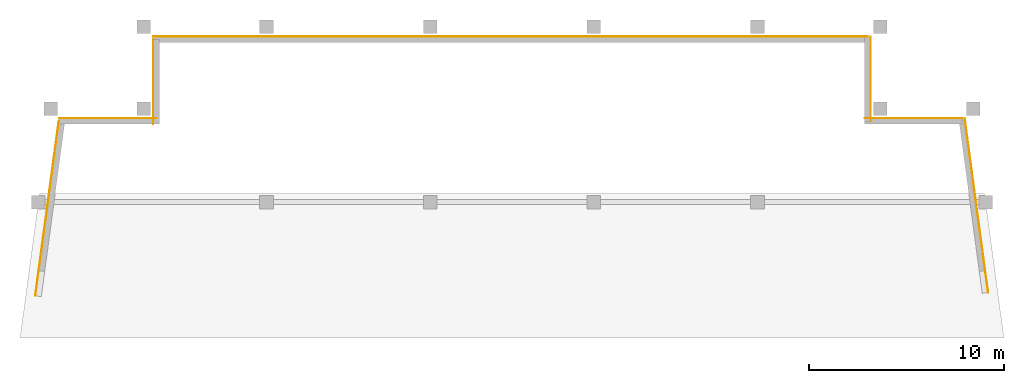
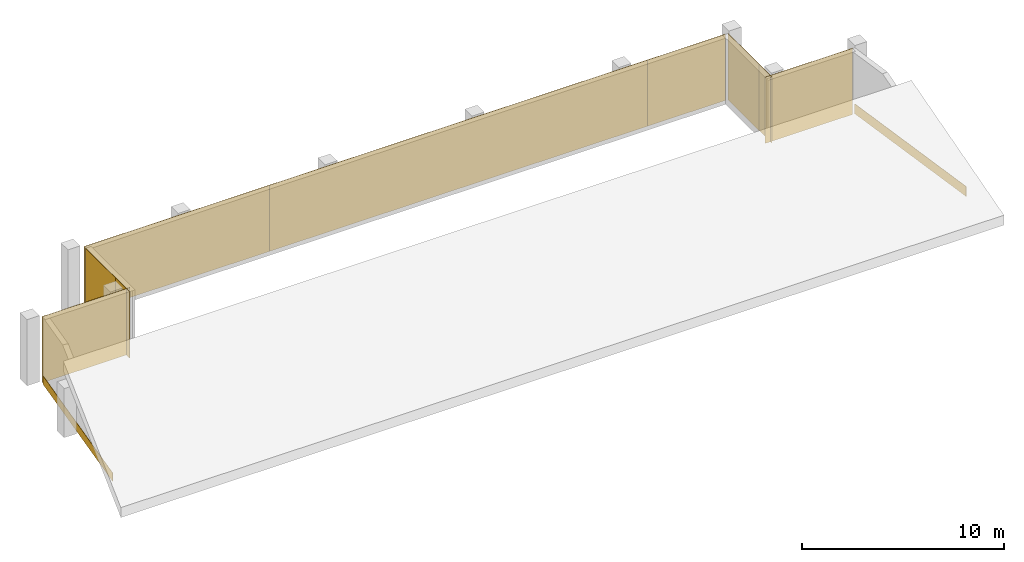
# One storey, part 2 of 2: 11 coverings.
"""IFC4 building model written with IfcOpenShell, lengths in metres."""

from ifc_helpers import new_model, si_unit, direction, frame, origin, origin_2d, place, context, subcontext, project, spatial, rectangle, extrude, material, layer, layer_set, type_object, element, save


model = new_model("IFC4")

# Units and contexts
model_context = context("Model", 3, precision=1e-05, world=origin(), true_north=direction((0.0, 1.0)))
body_context = subcontext(model_context, "Body", "Model", "MODEL_VIEW")
ifc_project = project(units=[si_unit("LENGTHUNIT", "METRE"), si_unit("AREAUNIT", "SQUARE_METRE"), si_unit("VOLUMEUNIT", "CUBIC_METRE"), si_unit("PLANEANGLEUNIT", "RADIAN"), si_unit("MASSUNIT", "GRAM", prefix="KILO")], contexts=[model_context])

# Site, building, storey
site_placement = place(None, origin())
site = spatial("IfcSite", under=ifc_project, at=site_placement, CompositionType="ELEMENT")
building_placement = place(site_placement, origin())
building = spatial("IfcBuilding", under=site, at=building_placement, Name="Candeia Pilgrim Tower and Theatre", CompositionType="ELEMENT")
storey_placement = place(building_placement, frame((0.0, 0.0, 328.39990234375)))
storey = spatial("IfcBuildingStorey", under=building, at=storey_placement, Name="L79", CompositionType="ELEMENT", Elevation=328.39990234375)

# Coverings
ifc_material_1 = material(Name="Glazed ceramic tile bottle green")
ifc_layer_1 = layer(ifc_material_1, 0.02001953125)
ifc_layer_set_1 = layer_set([ifc_layer_1], Name="Glazed ceramic tile bottle green")
covering_type_1 = type_object("IfcCoveringType", Name="Glazed ceramic tile bottle green", PredefinedType="CLADDING", material=ifc_layer_set_1)
covering_1_placement = place(storey_placement, frame((133.99853515625, 140.110107421875, 0.0), z_axis=(0.0, 0.0, 1.0), x_axis=(-1.0, 0.0, 0.0)))
element("IfcCovering", 1, at=covering_1_placement, inside=storey, type_object=covering_type_1, Name="Tile cladding bottle green L79", PredefinedType="CLADDING", context=body_context, shape_type="SweptSolid", body=[
    extrude(rectangle(XDim=4.9970703125, YDim=0.02001953125, at=origin_2d()), origin(), (0.0, 0.0, 1.0), 4.0),
])
covering_2_placement = place(storey_placement, frame((131.81005859375, 142.75, 0.0), z_axis=(0.0, 0.0, 1.0), x_axis=(0.0, 1.0, 0.0)))
element("IfcCovering", 2, at=covering_2_placement, inside=storey, type_object=covering_type_1, Name="Tile cladding bottle green L79", PredefinedType="CLADDING", context=body_context, shape_type="SweptSolid", body=[
    extrude(rectangle(XDim=3.10009765625, YDim=0.02001953125, at=origin_2d()), origin(), (0.0, 0.0, 1.0), 4.0),
])
covering_3_placement = place(storey_placement, frame((129.425048828125, 144.31005859375, 0.0), z_axis=(0.0, 0.0, 1.0), x_axis=(-1.0, 0.0, 0.0)))
element("IfcCovering", 3, at=covering_3_placement, inside=storey, type_object=covering_type_1, Name="Tile cladding bottle green L79", PredefinedType="CLADDING", context=body_context, shape_type="SweptSolid", body=[
    extrude(rectangle(XDim=4.449951171875, YDim=0.02001953125, at=origin_2d()), origin(), (0.0, 0.0, 1.0), 4.0),
])
covering_4_placement = place(storey_placement, frame((100.300048828125, 144.31005859375, 0.0), z_axis=(0.0, 0.0, 1.0), x_axis=(-1.0, 0.0, 0.0)))
element("IfcCovering", 4, at=covering_4_placement, inside=storey, type_object=covering_type_1, Name="Tile cladding bottle green L79", PredefinedType="CLADDING", context=body_context, shape_type="SweptSolid", body=[
    extrude(rectangle(XDim=10.60009765625, YDim=0.02001953125, at=origin_2d()), origin(), (0.0, 0.0, 1.0), 4.0),
])
covering_5_placement = place(storey_placement, frame((94.989990234375, 142.675048828125, 0.0), z_axis=(0.0, 0.0, 1.0), x_axis=(0.0, -1.0, 0.0)))
element("IfcCovering", 5, at=covering_5_placement, inside=storey, type_object=covering_type_1, Name="Tile cladding bottle green L79", PredefinedType="CLADDING", context=body_context, shape_type="SweptSolid", body=[
    extrude(rectangle(XDim=2.949951171875, YDim=0.02001953125, at=origin_2d()), origin(), (0.0, 0.0, 1.0), 4.0),
])
covering_6_placement = place(storey_placement, frame((92.660888671875, 140.110107421875, 0.0), z_axis=(0.0, 0.0, 1.0), x_axis=(-1.0, 0.0, 0.0)))
element("IfcCovering", 6, at=covering_6_placement, inside=storey, type_object=covering_type_1, Name="Tile cladding bottle green L79", PredefinedType="CLADDING", context=body_context, shape_type="SweptSolid", body=[
    extrude(rectangle(XDim=4.978271484375, YDim=0.02001953125, at=origin_2d()), origin(), (0.0, 0.0, 1.0), 4.0),
])
ifc_material_2 = material(Name="Glazed ceramic tile rust")
ifc_layer_2 = layer(ifc_material_2, 0.02001953125)
ifc_layer_set_2 = layer_set([ifc_layer_2], Name="Glazed ceramic tile rust")
covering_type_2 = type_object("IfcCoveringType", Name="Glazed ceramic tile rust", PredefinedType="CLADDING", material=ifc_layer_set_2)
covering_7_placement = place(storey_placement, frame((89.540283203125, 135.48291015625, 0.0), z_axis=(0.0, 0.0, 1.0), x_axis=(-0.133412012145, -0.991060661622, 0.0)))
element("IfcCovering", 7, at=covering_7_placement, inside=storey, type_object=covering_type_2, Name="Tile cladding rust L79", PredefinedType="CLADDING", context=body_context, shape_type="SweptSolid", body=[
    extrude(rectangle(XDim=9.05810546875, YDim=0.02001953125, at=origin_2d()), origin(), (0.0, 0.0, 1.0), 0.50830078125),
])
covering_8_placement = place(storey_placement, frame((137.23974609375, 135.6328125, 0.0), z_axis=(0.0, 0.0, 1.0), x_axis=(-0.133412012145, 0.991060661622, 0.0)))
element("IfcCovering", 8, at=covering_8_placement, inside=storey, type_object=covering_type_2, Name="Tile cladding rust L79", PredefinedType="CLADDING", context=body_context, shape_type="SweptSolid", body=[
    extrude(rectangle(XDim=9.017578125, YDim=0.02001953125, at=origin_2d()), origin(), (0.0, 0.0, 1.0), 0.599853515625),
])
covering_9_placement = place(storey_placement, frame((131.81005859375, 140.574951171875, 0.0), z_axis=(0.0, 0.0, 1.0), x_axis=(0.0, 1.0, 0.0)))
element("IfcCovering", 9, at=covering_9_placement, inside=storey, type_object=covering_type_2, Name="Tile cladding rust L79", PredefinedType="CLADDING", context=body_context, shape_type="SweptSolid", body=[
    extrude(rectangle(XDim=1.25, YDim=0.02001953125, at=origin_2d()), origin(), (0.0, 0.0, 1.0), 4.0),
])
covering_10_placement = place(storey_placement, frame((116.39990234375, 144.31005859375, 0.0), z_axis=(0.0, 0.0, 1.0), x_axis=(-1.0, 0.0, 0.0)))
element("IfcCovering", 10, at=covering_10_placement, inside=storey, type_object=covering_type_2, Name="Tile cladding rust L79", PredefinedType="CLADDING", context=body_context, shape_type="SweptSolid", body=[
    extrude(rectangle(XDim=21.60009765625, YDim=0.02001953125, at=origin_2d()), origin(), (0.0, 0.0, 1.0), 4.0),
])
covering_11_placement = place(storey_placement, frame((94.989990234375, 140.5, 0.0), z_axis=(0.0, 0.0, 1.0), x_axis=(0.0, -1.0, 0.0)))
element("IfcCovering", 11, at=covering_11_placement, inside=storey, type_object=covering_type_2, Name="Tile cladding rust L79", PredefinedType="CLADDING", context=body_context, shape_type="SweptSolid", body=[
    extrude(rectangle(XDim=1.39990234375, YDim=0.02001953125, at=origin_2d()), origin(), (0.0, 0.0, 1.0), 4.0),
])

save(model, "model.ifc")
